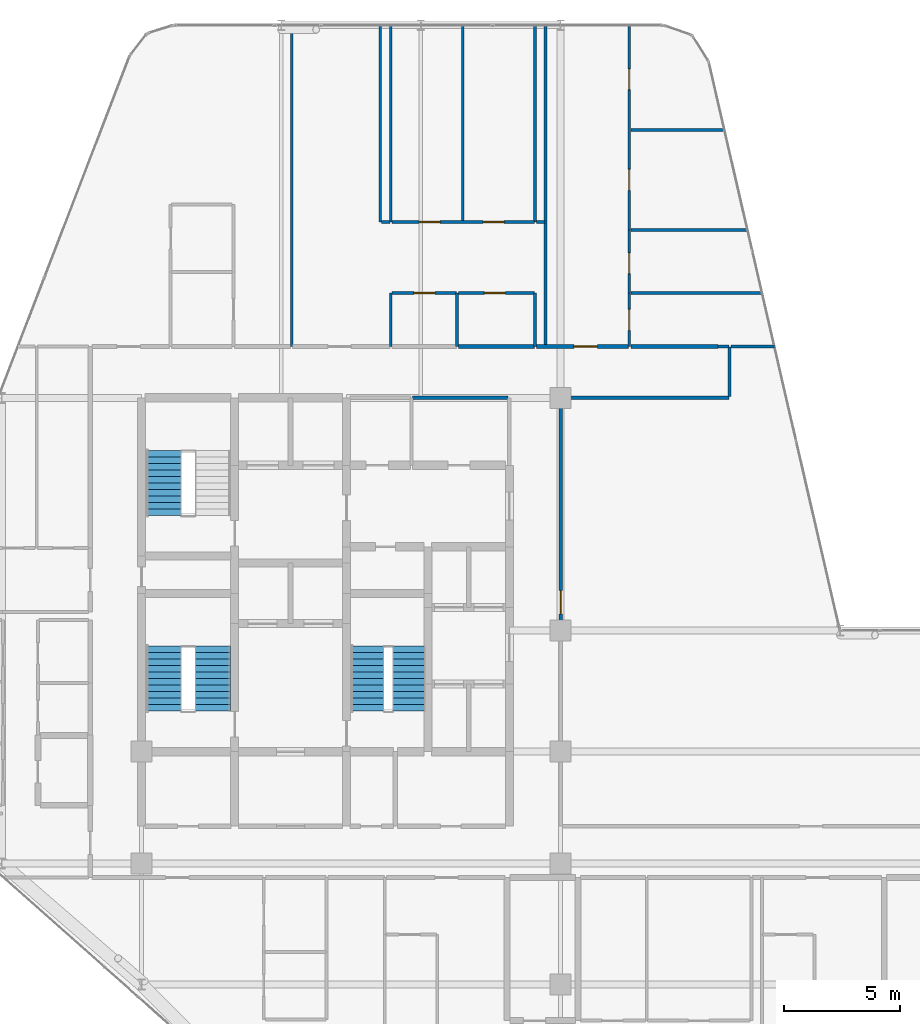
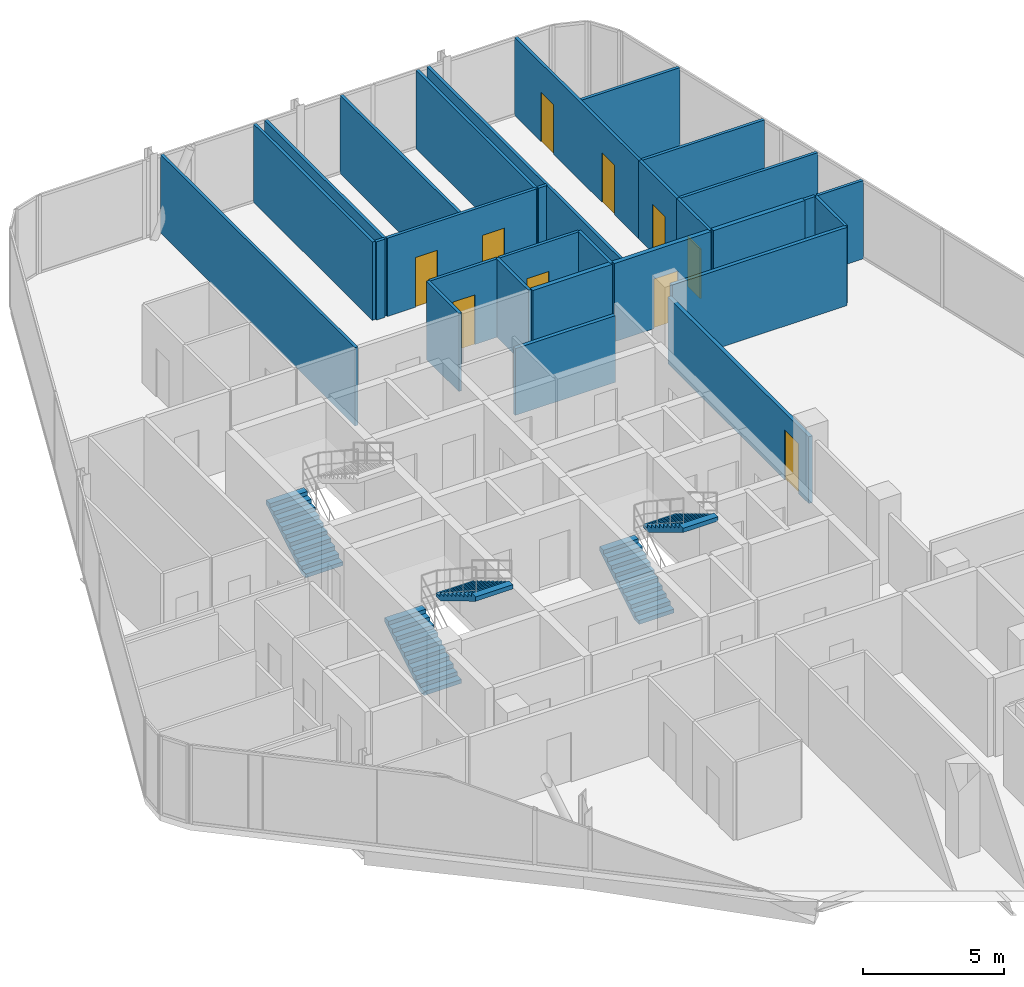
# One storey, part 27 of 29: 29 walls, 10 doors, 5 stair flights, 10 openings, 3 elements without a shape of their own.
"""IFC4 building model written with IfcOpenShell, lengths in metres."""

from ifc_helpers import new_model, si_unit, direction, frame, frame_2d, origin, place, context, subcontext, project, spatial, polyline, rectangle, outline, extrude, material, layer, layer_set, type_object, element, fill, aggregate, save


model = new_model("IFC4")

# Units and contexts
model_context = context("Model", 3, precision=1e-05, world=origin(), true_north=direction((0.0, 1.0)))
body_context = subcontext(model_context, "Body", "Model", "MODEL_VIEW")
ifc_project = project(units=[si_unit("LENGTHUNIT", "METRE"), si_unit("AREAUNIT", "SQUARE_METRE"), si_unit("VOLUMEUNIT", "CUBIC_METRE"), si_unit("PLANEANGLEUNIT", "RADIAN"), si_unit("MASSUNIT", "GRAM", prefix="KILO")], contexts=[model_context])

# Site, building, storey
site_placement = place(None, origin())
site = spatial("IfcSite", under=ifc_project, at=site_placement, CompositionType="ELEMENT")
building_placement = place(site_placement, origin())
building = spatial("IfcBuilding", under=site, at=building_placement, Name="Keshet Zoharim Tower", CompositionType="ELEMENT")
storey_placement = place(building_placement, frame((0.0, 0.0, 176.5)))
storey = spatial("IfcBuildingStorey", under=building, at=storey_placement, Name="L43", CompositionType="ELEMENT", Elevation=176.5)

# Walls
ifc_material_1 = material(Name="Gypsum Plasterboard", Category="gypsum")
ifc_layer_1 = layer(ifc_material_1, 0.14990234375)
ifc_layer_set_1 = layer_set([ifc_layer_1], Name="Gypsum Plasterboard")
wall_type_1 = type_object("IfcWallType", Name="WL-CLIN-150", PredefinedType="STANDARD", material=ifc_layer_set_1)
wall_1_placement = place(storey_placement, frame((26.64501953125, 37.89990234375, 0.0), z_axis=(0.0, 0.0, 1.0), x_axis=(1.0, 0.0, 0.0)))
element("IfcWall", 1, at=wall_1_placement, inside=storey, type_object=wall_type_1, Name="L43 Interior Wall 161", PredefinedType="STANDARD", context=body_context, shape_type="SweptSolid", body=[
    extrude(rectangle(XDim=4.094970703125, YDim=0.14990234375, at=frame_2d((2.04736328125, 0.0))), origin(), (0.0, 0.0, 1.0), 2.889892578125),
])
wall_2_placement = place(storey_placement, frame((33.070068359375, 37.89990234375, 0.0), z_axis=(0.0, 0.0, 1.0), x_axis=(1.0, 0.0, 0.0)))
element("IfcWall", 2, at=wall_2_placement, inside=storey, type_object=wall_type_1, Name="L43 Interior Wall 162", PredefinedType="STANDARD", context=body_context, shape_type="SweptSolid", body=[
    extrude(rectangle(XDim=7.155029296875, YDim=0.14990234375, at=frame_2d((3.57763671875, 0.0))), origin(), (0.0, 0.0, 1.0), 3.389892578125),
])

# Wall, opening, door
wall_3_placement = place(storey_placement, frame((33.0, 27.89990234375, 0.0), z_axis=(0.0, 0.0, 1.0), x_axis=(0.0, 1.0, 0.0)))
wall_3 = element("IfcWall", 3, at=wall_3_placement, inside=storey, type_object=wall_type_1, Name="L43 Interior Wall 068 Part 2", PredefinedType="STANDARD", context=body_context, shape_type="SweptSolid", body=[
    extrude(rectangle(XDim=9.989990234375, YDim=0.14990234375, at=frame_2d((4.9951171875, 0.0))), origin(), (0.0, 0.0, 1.0), 2.889892578125),
])
opening_1_placement = place(wall_3_placement, frame((0.721923828125, 0.0, 0.0)))
opening_1 = element("IfcOpeningElement", 4, at=opening_1_placement, cuts=wall_3, Name="Opening D-F310", PredefinedType="OPENING", context=body_context, shape_type="SweptSolid", body=[
    extrude(rectangle(XDim=1.0, YDim=2.14990234375, at=frame_2d((0.5, 1.074951171875))), frame((0.0, 0.0849609375, 0.0), z_axis=(0.0, -1.0, 0.0), x_axis=(1.0, 0.0, 0.0)), (0.0, 0.0, 1.0), 0.169921875),
])
ifc_material_2 = material(Name="Hardwood Timber", Category="wood")
door_type_1 = type_object("IfcDoorType", Name="DR-FD30-100", OperationType="NOTDEFINED", PredefinedType="DOOR", material=ifc_material_2)
door_1_placement = place(opening_1_placement, origin())
door_1 = element("IfcDoor", 5, at=door_1_placement, inside=storey, type_object=door_type_1, Name="L43 South East Residents Services Suite Door 2", OperationType="SINGLE_SWING_RIGHT", OverallHeight=2.14990234375, OverallWidth=1.0, PredefinedType="DOOR", context=body_context, shape_type="SweptSolid", body=[
    extrude(rectangle(XDim=1.0, YDim=2.14990234375, at=frame_2d((0.5, 1.074951171875))), frame((0.0, 0.02490234375, 0.0), z_axis=(0.0, -1.0, 0.0), x_axis=(1.0, 0.0, 0.0)), (0.0, 0.0, 1.0), 0.050048828125),
])
fill(opening_1, door_1)

# Wall
ifc_layer_2 = layer(ifc_material_1, 0.179931640625)
ifc_layer_set_2 = layer_set([ifc_layer_2], Name="Gypsum Plasterboard")
wall_type_2 = type_object("IfcWallType", Name="WL-CORR-180", PredefinedType="STANDARD", material=ifc_layer_set_2)
wall_4_placement = place(storey_placement, frame((28.616943359375, 40.10009765625, 0.0), z_axis=(0.0, 0.0, 1.0), x_axis=(1.0, 0.0, 0.0)))
element("IfcWall", 6, at=wall_4_placement, inside=storey, type_object=wall_type_2, Name="L43 Interior Wall 170", PredefinedType="STANDARD", context=body_context, shape_type="SweptSolid", body=[
    extrude(rectangle(XDim=3.258056640625, YDim=0.179931640625, at=frame_2d((1.62890625, 0.0))), origin(), (0.0, 0.0, 1.0), 3.389892578125),
])

# Wall, opening, door
wall_5_placement = place(storey_placement, frame((31.965087890625, 40.10009765625, 0.0), z_axis=(0.0, 0.0, 1.0), x_axis=(1.0, 0.0, 0.0)))
wall_5 = element("IfcWall", 7, at=wall_5_placement, inside=storey, type_object=wall_type_2, Name="L43 Interior Wall 171", PredefinedType="STANDARD", context=body_context, shape_type="SweptSolid", body=[
    extrude(rectangle(XDim=3.9599609375, YDim=0.179931640625, at=frame_2d((1.97998046875, 0.0))), origin(), (0.0, 0.0, 1.0), 3.389892578125),
])
opening_2_placement = place(wall_5_placement, frame((1.60888671875, 0.0, 0.0)))
opening_2 = element("IfcOpeningElement", 8, at=opening_2_placement, cuts=wall_5, Name="Opening D-F310", PredefinedType="OPENING", context=body_context, shape_type="SweptSolid", body=[
    extrude(rectangle(XDim=1.0, YDim=2.14990234375, at=frame_2d((0.5, 1.074951171875))), frame((0.0, 0.10009765625, 0.0), z_axis=(0.0, -1.0, 0.0), x_axis=(1.0, 0.0, 0.0)), (0.0, 0.0, 1.0), 0.199951171875),
])
door_2_placement = place(opening_2_placement, origin())
door_2 = element("IfcDoor", 9, at=door_2_placement, inside=storey, type_object=door_type_1, Name="Apartment 4306 Entrance Door", OperationType="SINGLE_SWING_LEFT", OverallHeight=2.14990234375, OverallWidth=1.0, PredefinedType="DOOR", context=body_context, shape_type="SweptSolid", body=[
    extrude(rectangle(XDim=1.0, YDim=2.14990234375, at=frame_2d((0.5, 1.074951171875))), frame((0.0, 0.02490234375, 0.0), z_axis=(0.0, -1.0, 0.0), x_axis=(1.0, 0.0, 0.0)), (0.0, 0.0, 1.0), 0.050048828125),
])
fill(opening_2, door_2)

# Walls
wall_6_placement = place(storey_placement, frame((36.014892578125, 40.10009765625, 0.0), z_axis=(0.0, 0.0, 1.0), x_axis=(1.0, 0.0, 0.0)))
element("IfcWall", 10, at=wall_6_placement, inside=storey, type_object=wall_type_2, Name="L43 Interior Wall 172", PredefinedType="STANDARD", context=body_context, shape_type="SweptSolid", body=[
    extrude(rectangle(XDim=3.748046875, YDim=0.179931640625, at=frame_2d((1.8740234375, 0.0))), origin(), (0.0, 0.0, 1.0), 3.389892578125),
])
ifc_layer_3 = layer(ifc_material_1, 0.1201171875)
ifc_layer_set_3 = layer_set([ifc_layer_3], Name="Gypsum Plasterboard")
wall_type_3 = type_object("IfcWallType", Name="WL-PART-120", PredefinedType="PARTITIONING", material=ifc_layer_set_3)
wall_7_placement = place(storey_placement, frame((21.449951171875, 40.10009765625, 0.0), z_axis=(0.0, 0.0, 1.0), x_axis=(0.0, 1.0, 0.0)))
element("IfcWall", 11, at=wall_7_placement, inside=storey, type_object=wall_type_3, Name="L43 Interior Wall 030", PredefinedType="PARTITIONING", context=body_context, shape_type="SweptSolid", body=[
    extrude(rectangle(XDim=13.789794921875, YDim=0.1201171875, at=frame_2d((6.89501953125, 0.0))), origin(), (0.0, 0.0, 1.0), 3.389892578125),
])
wall_8_placement = place(storey_placement, frame((25.25, 45.449951171875, 0.0), z_axis=(0.0, 0.0, 1.0), x_axis=(0.0, 1.0, 0.0)))
element("IfcWall", 12, at=wall_8_placement, inside=storey, type_object=wall_type_3, Name="L43 Interior Wall 040", PredefinedType="PARTITIONING", context=body_context, shape_type="SweptSolid", body=[
    extrude(rectangle(XDim=8.43994140625, YDim=0.1201171875, at=frame_2d((4.219970703125, 0.0))), origin(), (0.0, 0.0, 1.0), 3.389892578125),
])
wall_9_placement = place(storey_placement, frame((25.699951171875, 40.10009765625, 0.0), z_axis=(0.0, 0.0, 1.0), x_axis=(0.0, 1.0, 0.0)))
element("IfcWall", 13, at=wall_9_placement, inside=storey, type_object=wall_type_3, Name="L43 Interior Wall 043", PredefinedType="PARTITIONING", context=body_context, shape_type="SweptSolid", body=[
    extrude(rectangle(XDim=2.2998046875, YDim=0.1201171875, at=frame_2d((1.14990234375, 0.0))), origin(), (0.0, 0.0, 1.0), 3.389892578125),
])
for number, where, z_axis, x_axis, name in (
    (14, (25.699951171875, 45.449951171875, 0.0), (0.0, 0.0, 1.0), (0.0, 1.0, 0.0), "L43 Interior Wall 044"),
    (15, (28.800048828125, 45.449951171875, 0.0), (0.0, 0.0, 1.0), (0.0, 1.0, 0.0), "L43 Interior Wall 053"),
    (16, (31.89990234375, 45.449951171875, 0.0), (0.0, 0.0, 1.0), (0.0, 1.0, 0.0), "L43 Interior Wall 066"),
):
    element("IfcWall", number, at=place(storey_placement, frame(where, z_axis=z_axis, x_axis=x_axis)), inside=storey, type_object=wall_type_3, Name=name, PredefinedType="PARTITIONING", context=body_context, shape_type="SweptSolid", body=[
        extrude(rectangle(XDim=8.43994140625, YDim=0.1201171875, at=frame_2d((4.219970703125, 0.0))), origin(), (0.0, 0.0, 1.0), 3.389892578125),
    ])
wall_10_placement = place(storey_placement, frame((32.35009765625, 40.10009765625, 0.0), z_axis=(0.0, 0.0, 1.0), x_axis=(0.0, 1.0, 0.0)))
element("IfcWall", 17, at=wall_10_placement, inside=storey, type_object=wall_type_3, Name="L43 Interior Wall 067", PredefinedType="PARTITIONING", context=body_context, shape_type="SweptSolid", body=[
    extrude(rectangle(XDim=13.789794921875, YDim=0.1201171875, at=frame_2d((6.89501953125, 0.0))), origin(), (0.0, 0.0, 1.0), 3.389892578125),
])

# Wall, opening, door
wall_11_placement = place(storey_placement, frame((35.949951171875, 40.10009765625, 0.0), z_axis=(0.0, 0.0, 1.0), x_axis=(0.0, 1.0, 0.0)))
wall_11 = element("IfcWall", 18, at=wall_11_placement, inside=storey, type_object=wall_type_3, Name="L43 Interior Wall 072", PredefinedType="PARTITIONING", context=body_context, shape_type="SweptSolid", body=[
    extrude(rectangle(XDim=2.2998046875, YDim=0.1201171875, at=frame_2d((1.14990234375, 0.0))), origin(), (0.0, 0.0, 1.0), 3.389892578125),
])
opening_3_placement = place(wall_11_placement, frame((0.699951171875, 0.0, 0.0)))
opening_3 = element("IfcOpeningElement", 19, at=opening_3_placement, cuts=wall_11, Name="Opening D-IN90", PredefinedType="OPENING", context=body_context, shape_type="SweptSolid", body=[
    extrude(rectangle(XDim=0.89990234375, YDim=2.14990234375, at=frame_2d((0.449951171875, 1.074951171875))), frame((0.0, 0.070068359375, 0.0), z_axis=(0.0, -1.0, 0.0), x_axis=(1.0, 0.0, 0.0)), (0.0, 0.0, 1.0), 0.14013671875),
])
door_type_2 = type_object("IfcDoorType", Name="DR-INT-090", OperationType="NOTDEFINED", PredefinedType="DOOR", material=ifc_material_2)
door_3_placement = place(opening_3_placement, origin())
door_3 = element("IfcDoor", 20, at=door_3_placement, inside=storey, type_object=door_type_2, Name="Apartment 4306 Kitchen Door", OperationType="SINGLE_SWING_LEFT", OverallHeight=2.14990234375, OverallWidth=0.89990234375, PredefinedType="DOOR", context=body_context, shape_type="SweptSolid", body=[
    extrude(rectangle(XDim=0.89990234375, YDim=2.14990234375, at=frame_2d((0.449951171875, 1.074951171875))), frame((0.0, 0.02490234375, 0.0), z_axis=(0.0, -1.0, 0.0), x_axis=(1.0, 0.0, 0.0)), (0.0, 0.0, 1.0), 0.050048828125),
])
fill(opening_3, door_3)

# Wall, openings, doors
wall_12_placement = place(storey_placement, frame((35.949951171875, 45.10009765625, 0.0), z_axis=(0.0, 0.0, 1.0), x_axis=(0.0, 1.0, 0.0)))
wall_12 = element("IfcWall", 21, at=wall_12_placement, inside=storey, type_object=wall_type_3, Name="L43 Interior Wall 074", PredefinedType="PARTITIONING", context=body_context, shape_type="SweptSolid", body=[
    extrude(rectangle(XDim=8.789794921875, YDim=0.1201171875, at=frame_2d((4.39501953125, 0.0))), origin(), (0.0, 0.0, 1.0), 3.389892578125),
])
opening_4_placement = place(wall_12_placement, frame((1.7119140625, 0.0, 0.0)))
opening_4 = element("IfcOpeningElement", 22, at=opening_4_placement, cuts=wall_12, Name="Opening D-IN90", PredefinedType="OPENING", context=body_context, shape_type="SweptSolid", body=[
    extrude(rectangle(XDim=0.89990234375, YDim=2.14990234375, at=frame_2d((0.449951171875, 1.074951171875))), frame((0.0, 0.070068359375, 0.0), z_axis=(0.0, -1.0, 0.0), x_axis=(1.0, 0.0, 0.0)), (0.0, 0.0, 1.0), 0.14013671875),
])
opening_5_placement = place(wall_12_placement, frame((6.030029296875, 0.0, 0.0)))
opening_5 = element("IfcOpeningElement", 23, at=opening_5_placement, cuts=wall_12, Name="Opening D-IN90", PredefinedType="OPENING", context=body_context, shape_type="SweptSolid", body=[
    extrude(rectangle(XDim=0.89990234375, YDim=2.14990234375, at=frame_2d((0.449951171875, 1.074951171875))), frame((0.0, 0.070068359375, 0.0), z_axis=(0.0, -1.0, 0.0), x_axis=(1.0, 0.0, 0.0)), (0.0, 0.0, 1.0), 0.14013671875),
])
door_4_placement = place(opening_4_placement, origin())
door_4 = element("IfcDoor", 24, at=door_4_placement, inside=storey, type_object=door_type_2, Name="Apartment 4306 Bedroom 1 Door", OperationType="SINGLE_SWING_LEFT", OverallHeight=2.14990234375, OverallWidth=0.89990234375, PredefinedType="DOOR", context=body_context, shape_type="SweptSolid", body=[
    extrude(rectangle(XDim=0.89990234375, YDim=2.14990234375, at=frame_2d((0.449951171875, 1.074951171875))), frame((0.0, 0.02490234375, 0.0), z_axis=(0.0, -1.0, 0.0), x_axis=(1.0, 0.0, 0.0)), (0.0, 0.0, 1.0), 0.050048828125),
])
fill(opening_4, door_4)
door_5_placement = place(opening_5_placement, origin())
door_5 = element("IfcDoor", 25, at=door_5_placement, inside=storey, type_object=door_type_2, Name="Apartment 4306 Bedroom 2 Door", OperationType="SINGLE_SWING_RIGHT", OverallHeight=2.14990234375, OverallWidth=0.89990234375, PredefinedType="DOOR", context=body_context, shape_type="SweptSolid", body=[
    extrude(rectangle(XDim=0.89990234375, YDim=2.14990234375, at=frame_2d((0.449951171875, 1.074951171875))), frame((0.0, 0.02490234375, 0.0), z_axis=(0.0, -1.0, 0.0), x_axis=(1.0, 0.0, 0.0)), (0.0, 0.0, 1.0), 0.050048828125),
])
fill(opening_5, door_5)

# Walls
wall_13_placement = place(storey_placement, frame((40.25, 37.948974609375, 0.0), z_axis=(0.0, 0.0, 1.0), x_axis=(0.0, 1.0, 0.0)))
element("IfcWall", 26, at=wall_13_placement, inside=storey, type_object=wall_type_3, Name="L43 Interior Wall 077", PredefinedType="PARTITIONING", context=body_context, shape_type="SweptSolid", body=[
    extrude(rectangle(XDim=2.14111328125, YDim=0.1201171875, at=frame_2d((1.070556640625, 0.0))), origin(), (0.0, 0.0, 1.0), 3.389892578125),
])
wall_14_placement = place(storey_placement, frame((39.762939453125, 40.10009765625, 0.0), z_axis=(0.0, 0.0, 1.0), x_axis=(1.0, 0.0, 0.0)))
element("IfcWall", 27, at=wall_14_placement, inside=storey, type_object=wall_type_3, Name="L43 Interior Wall 173", PredefinedType="PARTITIONING", context=body_context, shape_type="SweptSolid", body=[
    extrude(rectangle(XDim=0.462158203125, YDim=0.1201171875, at=frame_2d((0.23095703125, 0.0))), origin(), (0.0, 0.0, 1.0), 3.389892578125),
])
wall_15_placement = place(storey_placement, frame((40.31494140625, 40.10009765625, 0.0), z_axis=(0.0, 0.0, 1.0), x_axis=(1.0, 0.0, 0.0)))
element("IfcWall", 28, at=wall_15_placement, inside=storey, type_object=wall_type_3, Name="L43 Interior Wall 174", PredefinedType="PARTITIONING", context=body_context, shape_type="SweptSolid", body=[
    extrude(rectangle(XDim=1.860107421875, YDim=0.1201171875, at=frame_2d((0.93017578125, 0.0))), origin(), (0.0, 0.0, 1.0), 3.389892578125),
])

# Wall, opening, door
wall_16_placement = place(storey_placement, frame((25.764892578125, 42.39990234375, 0.0), z_axis=(0.0, 0.0, 1.0), x_axis=(1.0, 0.0, 0.0)))
wall_16 = element("IfcWall", 29, at=wall_16_placement, inside=storey, type_object=wall_type_3, Name="L43 Interior Wall 175", PredefinedType="PARTITIONING", context=body_context, shape_type="SweptSolid", body=[
    extrude(rectangle(XDim=2.76220703125, YDim=0.1201171875, at=frame_2d((1.381103515625, 0.0))), origin(), (0.0, 0.0, 1.0), 3.389892578125),
])
opening_6_placement = place(wall_16_placement, frame((0.930908203125, 0.0, 0.0)))
opening_6 = element("IfcOpeningElement", 30, at=opening_6_placement, cuts=wall_16, Name="Opening D-IN90", PredefinedType="OPENING", context=body_context, shape_type="SweptSolid", body=[
    extrude(rectangle(XDim=0.89990234375, YDim=2.14990234375, at=frame_2d((0.449951171875, 1.074951171875))), frame((0.0, 0.070068359375, 0.0), z_axis=(0.0, -1.0, 0.0), x_axis=(1.0, 0.0, 0.0)), (0.0, 0.0, 1.0), 0.14013671875),
])
door_6_placement = place(opening_6_placement, origin())
door_6 = element("IfcDoor", 31, at=door_6_placement, inside=storey, type_object=door_type_2, Name="Apartment 4305 Kitchen Door", OperationType="SINGLE_SWING_RIGHT", OverallHeight=2.14990234375, OverallWidth=0.89990234375, PredefinedType="DOOR", context=body_context, shape_type="SweptSolid", body=[
    extrude(rectangle(XDim=0.89990234375, YDim=2.14990234375, at=frame_2d((0.449951171875, 1.074951171875))), frame((0.0, 0.02490234375, 0.0), z_axis=(0.0, -1.0, 0.0), x_axis=(1.0, 0.0, 0.0)), (0.0, 0.0, 1.0), 0.050048828125),
])
fill(opening_6, door_6)

# Wall
wall_17_placement = place(storey_placement, frame((25.31494140625, 45.449951171875, 0.0), z_axis=(0.0, 0.0, 1.0), x_axis=(1.0, 0.0, 0.0)))
element("IfcWall", 32, at=wall_17_placement, inside=storey, type_object=wall_type_3, Name="L43 Interior Wall 180", PredefinedType="PARTITIONING", context=body_context, shape_type="SweptSolid", body=[
    extrude(rectangle(XDim=0.360107421875, YDim=0.1201171875, at=frame_2d((0.18017578125, 0.0))), origin(), (0.0, 0.0, 1.0), 3.389892578125),
])

# Wall, openings, doors
wall_18_placement = place(storey_placement, frame((25.764892578125, 45.449951171875, 0.0), z_axis=(0.0, 0.0, 1.0), x_axis=(1.0, 0.0, 0.0)))
wall_18 = element("IfcWall", 33, at=wall_18_placement, inside=storey, type_object=wall_type_3, Name="L43 Interior Wall 181", PredefinedType="PARTITIONING", context=body_context, shape_type="SweptSolid", body=[
    extrude(rectangle(XDim=6.110107421875, YDim=0.1201171875, at=frame_2d((3.05517578125, 0.0))), origin(), (0.0, 0.0, 1.0), 3.389892578125),
])
opening_7_placement = place(wall_18_placement, frame((1.156005859375, 0.0, 0.0)))
opening_7 = element("IfcOpeningElement", 34, at=opening_7_placement, cuts=wall_18, Name="Opening D-IN90", PredefinedType="OPENING", context=body_context, shape_type="SweptSolid", body=[
    extrude(rectangle(XDim=0.89990234375, YDim=2.14990234375, at=frame_2d((0.449951171875, 1.074951171875))), frame((0.0, 0.070068359375, 0.0), z_axis=(0.0, -1.0, 0.0), x_axis=(1.0, 0.0, 0.0)), (0.0, 0.0, 1.0), 0.14013671875),
])
opening_8_placement = place(wall_18_placement, frame((3.906005859375, 0.0, 0.0)))
opening_8 = element("IfcOpeningElement", 35, at=opening_8_placement, cuts=wall_18, Name="Opening D-IN90", PredefinedType="OPENING", context=body_context, shape_type="SweptSolid", body=[
    extrude(rectangle(XDim=0.89990234375, YDim=2.14990234375, at=frame_2d((0.449951171875, 1.074951171875))), frame((0.0, 0.070068359375, 0.0), z_axis=(0.0, -1.0, 0.0), x_axis=(1.0, 0.0, 0.0)), (0.0, 0.0, 1.0), 0.14013671875),
])
door_7_placement = place(opening_7_placement, origin())
door_7 = element("IfcDoor", 36, at=door_7_placement, inside=storey, type_object=door_type_2, Name="Apartment 4305 Bedroom 1 Door", OperationType="SINGLE_SWING_RIGHT", OverallHeight=2.14990234375, OverallWidth=0.89990234375, PredefinedType="DOOR", context=body_context, shape_type="SweptSolid", body=[
    extrude(rectangle(XDim=0.89990234375, YDim=2.14990234375, at=frame_2d((0.449951171875, 1.074951171875))), frame((0.0, 0.02490234375, 0.0), z_axis=(0.0, -1.0, 0.0), x_axis=(1.0, 0.0, 0.0)), (0.0, 0.0, 1.0), 0.050048828125),
])
fill(opening_7, door_7)
door_8_placement = place(opening_8_placement, origin())
door_8 = element("IfcDoor", 37, at=door_8_placement, inside=storey, type_object=door_type_2, Name="Apartment 4305 Bedroom 2 Door", OperationType="SINGLE_SWING_LEFT", OverallHeight=2.14990234375, OverallWidth=0.89990234375, PredefinedType="DOOR", context=body_context, shape_type="SweptSolid", body=[
    extrude(rectangle(XDim=0.89990234375, YDim=2.14990234375, at=frame_2d((0.449951171875, 1.074951171875))), frame((0.0, 0.02490234375, 0.0), z_axis=(0.0, -1.0, 0.0), x_axis=(1.0, 0.0, 0.0)), (0.0, 0.0, 1.0), 0.050048828125),
])
fill(opening_8, door_8)

# Walls
wall_19_placement = place(storey_placement, frame((31.965087890625, 45.449951171875, 0.0), z_axis=(0.0, 0.0, 1.0), x_axis=(1.0, 0.0, 0.0)))
element("IfcWall", 38, at=wall_19_placement, inside=storey, type_object=wall_type_3, Name="L43 Interior Wall 182", PredefinedType="PARTITIONING", context=body_context, shape_type="SweptSolid", body=[
    extrude(rectangle(XDim=0.35986328125, YDim=0.1201171875, at=frame_2d((0.179931640625, 0.0))), origin(), (0.0, 0.0, 1.0), 3.389892578125),
])
wall_20_placement = place(storey_placement, frame((36.014892578125, 49.39990234375, 0.0), z_axis=(0.0, 0.0, 1.0), x_axis=(1.0, 0.0, 0.0)))
element("IfcWall", 39, at=wall_20_placement, inside=storey, type_object=wall_type_3, Name="L43 Interior Wall 184", PredefinedType="PARTITIONING", context=body_context, shape_type="SweptSolid", body=[
    extrude(rectangle(XDim=4.01416015625, YDim=0.1201171875, at=frame_2d((2.007080078125, 0.0))), origin(), (0.0, 0.0, 1.0), 3.389892578125),
])
ifc_layer_4 = layer(ifc_material_1, 0.1201171875)
ifc_layer_set_4 = layer_set([ifc_layer_4], Name="Gypsum Plasterboard")
wall_type_4 = type_object("IfcWallType", Name="WL-WET-120", PredefinedType="PARTITIONING", material=ifc_layer_set_4)
for number, where, z_axis, x_axis, name in (
    (40, (28.550048828125, 40.10009765625, 0.0), (0.0, 0.0, 1.0), (0.0, 1.0, 0.0), "L43 Interior Wall 052"),
    (41, (31.89990234375, 40.10009765625, 0.0), (0.0, 0.0, 1.0), (0.0, 1.0, 0.0), "L43 Interior Wall 065"),
):
    element("IfcWall", number, at=place(storey_placement, frame(where, z_axis=z_axis, x_axis=x_axis)), inside=storey, type_object=wall_type_4, Name=name, PredefinedType="PARTITIONING", context=body_context, shape_type="SweptSolid", body=[
        extrude(rectangle(XDim=2.2998046875, YDim=0.1201171875, at=frame_2d((1.14990234375, 0.0))), origin(), (0.0, 0.0, 1.0), 3.389892578125),
    ])

# Wall, opening, door
wall_21_placement = place(storey_placement, frame((35.949951171875, 42.39990234375, 0.0), z_axis=(0.0, 0.0, 1.0), x_axis=(0.0, 1.0, 0.0)))
wall_21 = element("IfcWall", 42, at=wall_21_placement, inside=storey, type_object=wall_type_4, Name="L43 Interior Wall 073", PredefinedType="PARTITIONING", context=body_context, shape_type="SweptSolid", body=[
    extrude(rectangle(XDim=2.7001953125, YDim=0.1201171875, at=frame_2d((1.35009765625, 0.0))), origin(), (0.0, 0.0, 1.0), 3.389892578125),
])
opening_9_placement = place(wall_21_placement, frame((0.827880859375, 0.0, 0.0)))
opening_9 = element("IfcOpeningElement", 43, at=opening_9_placement, cuts=wall_21, Name="Opening D-WT90", PredefinedType="OPENING", context=body_context, shape_type="SweptSolid", body=[
    extrude(rectangle(XDim=0.89990234375, YDim=2.10009765625, at=frame_2d((0.449951171875, 1.050048828125))), frame((0.0, 0.070068359375, 0.0), z_axis=(0.0, -1.0, 0.0), x_axis=(1.0, 0.0, 0.0)), (0.0, 0.0, 1.0), 0.14013671875),
])
door_type_3 = type_object("IfcDoorType", Name="DR-WET-090", OperationType="NOTDEFINED", PredefinedType="DOOR", material=ifc_material_2)
door_9_placement = place(opening_9_placement, origin())
door_9 = element("IfcDoor", 44, at=door_9_placement, inside=storey, type_object=door_type_3, Name="Apartment 4306 Bathroom Door", OperationType="SINGLE_SWING_RIGHT", OverallHeight=2.10009765625, OverallWidth=0.89990234375, PredefinedType="DOOR", context=body_context, shape_type="SweptSolid", body=[
    extrude(rectangle(XDim=0.89990234375, YDim=2.10009765625, at=frame_2d((0.449951171875, 1.050048828125))), frame((0.0, 0.02490234375, 0.0), z_axis=(0.0, -1.0, 0.0), x_axis=(1.0, 0.0, 0.0)), (0.0, 0.0, 1.0), 0.050048828125),
])
fill(opening_9, door_9)

wall_22_placement = place(storey_placement, frame((28.616943359375, 42.39990234375, 0.0), z_axis=(0.0, 0.0, 1.0), x_axis=(1.0, 0.0, 0.0)))
wall_22 = element("IfcWall", 45, at=wall_22_placement, inside=storey, type_object=wall_type_4, Name="L43 Interior Wall 176", PredefinedType="PARTITIONING", context=body_context, shape_type="SweptSolid", body=[
    extrude(rectangle(XDim=3.258056640625, YDim=0.1201171875, at=frame_2d((1.62890625, 0.0))), origin(), (0.0, 0.0, 1.0), 3.389892578125),
])
opening_10_placement = place(wall_22_placement, frame((1.10498046875, 0.0, 0.0)))
opening_10 = element("IfcOpeningElement", 46, at=opening_10_placement, cuts=wall_22, Name="Opening D-WT90", PredefinedType="OPENING", context=body_context, shape_type="SweptSolid", body=[
    extrude(rectangle(XDim=0.89990234375, YDim=2.10009765625, at=frame_2d((0.449951171875, 1.050048828125))), frame((0.0, 0.070068359375, 0.0), z_axis=(0.0, -1.0, 0.0), x_axis=(1.0, 0.0, 0.0)), (0.0, 0.0, 1.0), 0.14013671875),
])
door_10_placement = place(opening_10_placement, origin())
door_10 = element("IfcDoor", 47, at=door_10_placement, inside=storey, type_object=door_type_3, Name="Apartment 4305 Bathroom Door", OperationType="SINGLE_SWING_LEFT", OverallHeight=2.10009765625, OverallWidth=0.89990234375, PredefinedType="DOOR", context=body_context, shape_type="SweptSolid", body=[
    extrude(rectangle(XDim=0.89990234375, YDim=2.10009765625, at=frame_2d((0.449951171875, 1.050048828125))), frame((0.0, 0.02490234375, 0.0), z_axis=(0.0, -1.0, 0.0), x_axis=(1.0, 0.0, 0.0)), (0.0, 0.0, 1.0), 0.050048828125),
])
fill(opening_10, door_10)

# Walls
wall_23_placement = place(storey_placement, frame((36.014892578125, 42.39990234375, 0.0), z_axis=(0.0, 0.0, 1.0), x_axis=(1.0, 0.0, 0.0)))
element("IfcWall", 48, at=wall_23_placement, inside=storey, type_object=wall_type_4, Name="L43 Interior Wall 177", PredefinedType="PARTITIONING", context=body_context, shape_type="SweptSolid", body=[
    extrude(rectangle(XDim=5.629150390625, YDim=0.1201171875, at=frame_2d((2.814453125, 0.0))), origin(), (0.0, 0.0, 1.0), 3.389892578125),
])
wall_24_placement = place(storey_placement, frame((36.014892578125, 45.10009765625, 0.0), z_axis=(0.0, 0.0, 1.0), x_axis=(1.0, 0.0, 0.0)))
element("IfcWall", 49, at=wall_24_placement, inside=storey, type_object=wall_type_4, Name="L43 Interior Wall 179", PredefinedType="PARTITIONING", context=body_context, shape_type="SweptSolid", body=[
    extrude(rectangle(XDim=5.006103515625, YDim=0.1201171875, at=frame_2d((2.5029296875, 0.0))), origin(), (0.0, 0.0, 1.0), 3.389892578125),
])

# Stair, stair flights
ifc_material_3 = material(Name="Concrete C50/60", Category="concrete")
stair_type = type_object("IfcStairType", Name="STR-EXIT-135", PredefinedType="HALF_TURN_STAIR", material=ifc_material_3)
stair_1_placement = place(storey_placement, origin())
stair_1 = element("IfcStair", 50, at=stair_1_placement, inside=storey, type_object=stair_type, Name="L43 Enclosed Exit Stair ST-01", PredefinedType="HALF_TURN_STAIR")
stair_flight_type_1 = type_object("IfcStairFlightType", Name="FLT-PRE-135", PredefinedType="STRAIGHT", material=ifc_material_3)
stair_flight_1_placement = place(storey_placement, frame((15.945068359375, 24.43994140625, 0.0), z_axis=(0.0, 0.0, 1.0), x_axis=(0.0, 1.0, 0.0)))
stair_flight_1 = element("IfcStairFlight", 51, at=stair_flight_1_placement, type_object=stair_flight_type_1, Name="ST-01 flight 1", NumberOfRisers=11, NumberOfTreads=10, PredefinedType="STRAIGHT", RiserHeight=0.168182, TreadLength=0.28, context=body_context, shape_type="SweptSolid", body=[
    extrude(outline(polyline([(0.0, 0.0), (0.0, 0.168212890625), (0.280029296875, 0.168212890625), (0.280029296875, 0.33642578125), (0.56005859375, 0.33642578125), (0.56005859375, 0.504638671875), (0.840087890625, 0.504638671875), (0.840087890625, 0.672607421875), (1.1201171875, 0.672607421875), (1.1201171875, 0.8408203125), (1.39990234375, 0.8408203125), (1.39990234375, 1.009033203125), (1.679931640625, 1.009033203125), (1.679931640625, 1.17724609375), (1.9599609375, 1.17724609375), (1.9599609375, 1.345458984375), (2.239990234375, 1.345458984375), (2.239990234375, 1.513671875), (2.52001953125, 1.513671875), (2.52001953125, 1.681884765625), (2.800048828125, 1.681884765625), (2.800048828125, 1.85009765625), (2.800048828125, 1.495361328125), (0.310546875, 0.0), (0.0, 0.0)])), frame((0.0, 0.76513671875, 0.0), z_axis=(0.0, -1.0, 0.0), x_axis=(1.0, 0.0, 0.0)), (0.0, 0.0, 1.0), 1.530029296875),
])
stair_flight_2_placement = place(storey_placement, frame((18.054931640625, 27.239990234375, 1.85009765625), z_axis=(0.0, 0.0, 1.0), x_axis=(0.0, -1.0, 0.0)))
stair_flight_2 = element("IfcStairFlight", 52, at=stair_flight_2_placement, type_object=stair_flight_type_1, Name="ST-01 flight 2", NumberOfRisers=11, NumberOfTreads=10, PredefinedType="STRAIGHT", RiserHeight=0.168182, TreadLength=0.28, context=body_context, shape_type="SweptSolid", body=[
    extrude(outline(polyline([(0.0, 0.0), (0.0, 0.168212890625), (0.280029296875, 0.168212890625), (0.280029296875, 0.33642578125), (0.56005859375, 0.33642578125), (0.56005859375, 0.504638671875), (0.840087890625, 0.504638671875), (0.840087890625, 0.672607421875), (1.1201171875, 0.672607421875), (1.1201171875, 0.8408203125), (1.39990234375, 0.8408203125), (1.39990234375, 1.009033203125), (1.679931640625, 1.009033203125), (1.679931640625, 1.17724609375), (1.9599609375, 1.17724609375), (1.9599609375, 1.345458984375), (2.239990234375, 1.345458984375), (2.239990234375, 1.513671875), (2.52001953125, 1.513671875), (2.52001953125, 1.681884765625), (2.800048828125, 1.681884765625), (2.800048828125, 1.85009765625), (2.800048828125, 1.495361328125), (0.310546875, 0.0), (0.0, 0.0)])), frame((0.0, 0.76513671875, 0.0), z_axis=(0.0, -1.0, 0.0), x_axis=(1.0, 0.0, 0.0)), (0.0, 0.0, 1.0), 1.530029296875),
])
aggregate(stair_1, [stair_flight_1, stair_flight_2])

# Stair, stair flight
stair_2_placement = place(storey_placement, origin())
stair_2 = element("IfcStair", 53, at=stair_2_placement, inside=storey, type_object=stair_type, Name="L43 Enclosed Exit Stair ST-02", PredefinedType="HALF_TURN_STAIR")
stair_flight_3_placement = place(storey_placement, frame((15.945068359375, 32.840087890625, 0.0), z_axis=(0.0, 0.0, 1.0), x_axis=(0.0, 1.0, 0.0)))
stair_flight_3 = element("IfcStairFlight", 54, at=stair_flight_3_placement, type_object=stair_flight_type_1, Name="ST-02 flight 1", NumberOfRisers=11, NumberOfTreads=10, PredefinedType="STRAIGHT", RiserHeight=0.168182, TreadLength=0.28, context=body_context, shape_type="SweptSolid", body=[
    extrude(outline(polyline([(0.0, 0.0), (0.0, 0.168212890625), (0.280029296875, 0.168212890625), (0.280029296875, 0.33642578125), (0.56005859375, 0.33642578125), (0.56005859375, 0.504638671875), (0.840087890625, 0.504638671875), (0.840087890625, 0.672607421875), (1.1201171875, 0.672607421875), (1.1201171875, 0.8408203125), (1.39990234375, 0.8408203125), (1.39990234375, 1.009033203125), (1.679931640625, 1.009033203125), (1.679931640625, 1.17724609375), (1.9599609375, 1.17724609375), (1.9599609375, 1.345458984375), (2.239990234375, 1.345458984375), (2.239990234375, 1.513671875), (2.52001953125, 1.513671875), (2.52001953125, 1.681884765625), (2.800048828125, 1.681884765625), (2.800048828125, 1.85009765625), (2.800048828125, 1.495361328125), (0.310546875, 0.0), (0.0, 0.0)])), frame((0.0, 0.76513671875, 0.0), z_axis=(0.0, -1.0, 0.0), x_axis=(1.0, 0.0, 0.0)), (0.0, 0.0, 1.0), 1.530029296875),
])
aggregate(stair_2, [stair_flight_3])

# Stair, stair flights
stair_3_placement = place(storey_placement, origin())
stair_3 = element("IfcStair", 55, at=stair_3_placement, inside=storey, type_object=stair_type, Name="L43 Enclosed Exit Stair ST-03", PredefinedType="HALF_TURN_STAIR")
stair_flight_type_2 = type_object("IfcStairFlightType", Name="FLT-PRE-144", PredefinedType="STRAIGHT", material=ifc_material_3)
stair_flight_4_placement = place(storey_placement, frame((24.699951171875, 24.43994140625, 0.0), z_axis=(0.0, 0.0, 1.0), x_axis=(0.0, 1.0, 0.0)))
stair_flight_4 = element("IfcStairFlight", 56, at=stair_flight_4_placement, type_object=stair_flight_type_2, Name="ST-03 flight 1", NumberOfRisers=11, NumberOfTreads=10, PredefinedType="STRAIGHT", RiserHeight=0.168182, TreadLength=0.28, context=body_context, shape_type="SweptSolid", body=[
    extrude(outline(polyline([(0.0, 0.0), (0.0, 0.168212890625), (0.280029296875, 0.168212890625), (0.280029296875, 0.33642578125), (0.56005859375, 0.33642578125), (0.56005859375, 0.504638671875), (0.840087890625, 0.504638671875), (0.840087890625, 0.672607421875), (1.1201171875, 0.672607421875), (1.1201171875, 0.8408203125), (1.39990234375, 0.8408203125), (1.39990234375, 1.009033203125), (1.679931640625, 1.009033203125), (1.679931640625, 1.17724609375), (1.9599609375, 1.17724609375), (1.9599609375, 1.345458984375), (2.239990234375, 1.345458984375), (2.239990234375, 1.513671875), (2.52001953125, 1.513671875), (2.52001953125, 1.681884765625), (2.800048828125, 1.681884765625), (2.800048828125, 1.85009765625), (2.800048828125, 1.495361328125), (0.310546875, 0.0), (0.0, 0.0)])), frame((0.0, 0.719970703125, 0.0), z_axis=(0.0, -1.0, 0.0), x_axis=(1.0, 0.0, 0.0)), (0.0, 0.0, 1.0), 1.43994140625),
])
stair_flight_5_placement = place(storey_placement, frame((26.5, 27.239990234375, 1.85009765625), z_axis=(0.0, 0.0, 1.0), x_axis=(0.0, -1.0, 0.0)))
stair_flight_5 = element("IfcStairFlight", 57, at=stair_flight_5_placement, type_object=stair_flight_type_2, Name="ST-03 flight 2", NumberOfRisers=11, NumberOfTreads=10, PredefinedType="STRAIGHT", RiserHeight=0.168182, TreadLength=0.28, context=body_context, shape_type="SweptSolid", body=[
    extrude(outline(polyline([(0.0, 0.0), (0.0, 0.168212890625), (0.280029296875, 0.168212890625), (0.280029296875, 0.33642578125), (0.56005859375, 0.33642578125), (0.56005859375, 0.504638671875), (0.840087890625, 0.504638671875), (0.840087890625, 0.672607421875), (1.1201171875, 0.672607421875), (1.1201171875, 0.8408203125), (1.39990234375, 0.8408203125), (1.39990234375, 1.009033203125), (1.679931640625, 1.009033203125), (1.679931640625, 1.17724609375), (1.9599609375, 1.17724609375), (1.9599609375, 1.345458984375), (2.239990234375, 1.345458984375), (2.239990234375, 1.513671875), (2.52001953125, 1.513671875), (2.52001953125, 1.681884765625), (2.800048828125, 1.681884765625), (2.800048828125, 1.85009765625), (2.800048828125, 1.495361328125), (0.310546875, 0.0), (0.0, 0.0)])), frame((0.0, 0.719970703125, 0.0), z_axis=(0.0, -1.0, 0.0), x_axis=(1.0, 0.0, 0.0)), (0.0, 0.0, 1.0), 1.43994140625),
])
aggregate(stair_3, [stair_flight_4, stair_flight_5])

save(model, "model.ifc")
